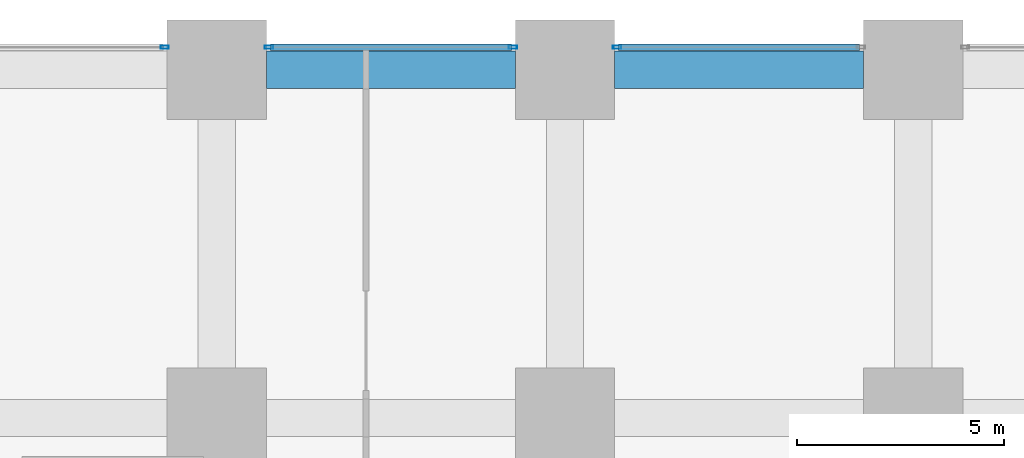
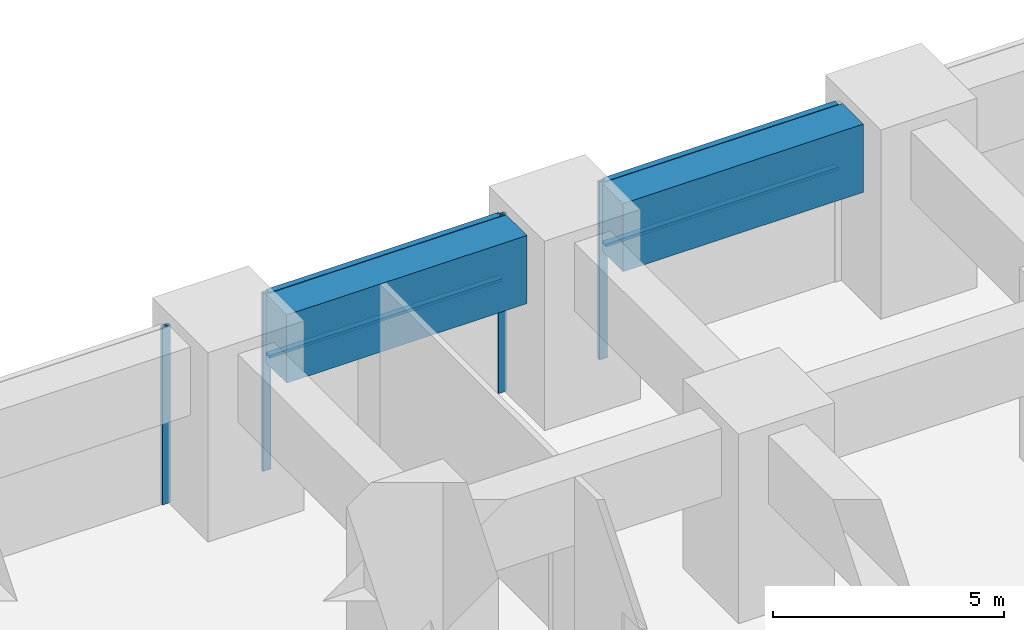
# One storey, part 29 of 49: 8 members, 2 beams, 3 elements without a shape of their own.
"""IFC4 building model written with IfcOpenShell, lengths in metres."""

from ifc_helpers import new_model, si_unit, direction, frame, origin, origin_2d, place, context, subcontext, project, spatial, rectangle, hollow_rectangle, extrude, material, material_profile, profile_set, type_object, element, aggregate, save


model = new_model("IFC4")

# Units and contexts
model_context = context("Model", 3, precision=1e-05, world=origin(), true_north=direction((0.0, 1.0)))
body_context = subcontext(model_context, "Body", "Model", "MODEL_VIEW")
ifc_project = project(units=[si_unit("LENGTHUNIT", "METRE"), si_unit("AREAUNIT", "SQUARE_METRE"), si_unit("VOLUMEUNIT", "CUBIC_METRE"), si_unit("PLANEANGLEUNIT", "RADIAN"), si_unit("MASSUNIT", "GRAM", prefix="KILO")], contexts=[model_context])

# Site, building, storey
site_placement = place(None, origin())
site = spatial("IfcSite", under=ifc_project, at=site_placement, CompositionType="ELEMENT")
building_placement = place(site_placement, origin())
building = spatial("IfcBuilding", under=site, at=building_placement, Name="Rekha Terrace Tower", CompositionType="ELEMENT")
storey_placement = place(building_placement, frame((0.0, 0.0, 5.39990234375)))
storey = spatial("IfcBuildingStorey", under=building, at=storey_placement, Name="L01", CompositionType="ELEMENT", Elevation=5.39990234375)

# Curtain wall, member
ifc_material_1 = material(Name="Aluminium framing", Category="aluminium")
curtain_wall_type = type_object("IfcCurtainWallType", Name="CW4 podium shopfront glazing", PredefinedType="USERDEFINED", material=ifc_material_1)
curtain_wall_1_placement = place(storey_placement, origin())
curtain_wall_1 = element("IfcCurtainWall", 1, at=curtain_wall_1_placement, inside=storey, type_object=curtain_wall_type, Name="CW4 shopfront curtain wall", ObjectType="SHOPFRONT CURTAIN WALL", PredefinedType="USERDEFINED")
ifc_material_2 = material(Name="Aluminium mullion section", Category="aluminium")
ifc_material_profile_1 = material_profile(ifc_material_2, hollow_rectangle(XDim=0.074951171875, YDim=0.199951171875, WallThickness=0.00390625, at=origin_2d()), Name="AL RHS 75x200")
ifc_profile_set_1 = profile_set([ifc_material_profile_1], Name="Aluminium mullion section")
member_type_1 = type_object("IfcMemberType", Name="CW4 mullion RHS 75 x 200", PredefinedType="MULLION", material=ifc_profile_set_1)
member_1_placement = place(storey_placement, frame((60.0576171875, 59.340087890625, 0.0), z_axis=(0.0, 0.0, 1.0), x_axis=(0.0, -1.0, 0.0)))
member_1 = element("IfcMember", 2, at=member_1_placement, type_object=member_type_1, Name="CW4 mullion 2", PredefinedType="MULLION", context=body_context, shape_type="SweptSolid", body=[
    extrude(hollow_rectangle(XDim=0.074951171875, YDim=0.199951171875, WallThickness=0.00390625, at=origin_2d()), origin(), (0.0, 0.0, 1.0), 4.7001953125),
])

# Curtain wall, members
curtain_wall_2_placement = place(storey_placement, origin())
curtain_wall_2 = element("IfcCurtainWall", 3, at=curtain_wall_2_placement, inside=storey, type_object=curtain_wall_type, Name="CW4 shopfront curtain wall", ObjectType="SHOPFRONT CURTAIN WALL", PredefinedType="USERDEFINED")
member_2_placement = place(storey_placement, frame((57.54248046875, 59.340087890625, 0.0), z_axis=(0.0, 0.0, 1.0), x_axis=(0.0, -1.0, 0.0)))
member_2 = element("IfcMember", 4, at=member_2_placement, type_object=member_type_1, Name="CW4 mullion 1", PredefinedType="MULLION", context=body_context, shape_type="SweptSolid", body=[
    extrude(hollow_rectangle(XDim=0.074951171875, YDim=0.199951171875, WallThickness=0.00390625, at=origin_2d()), origin(), (0.0, 0.0, 1.0), 4.7001953125),
])
member_3_placement = place(storey_placement, frame((51.657470703125, 59.340087890625, 0.0), z_axis=(0.0, 0.0, 1.0), x_axis=(0.0, -1.0, 0.0)))
member_3 = element("IfcMember", 5, at=member_3_placement, type_object=member_type_1, Name="CW4 mullion 2", PredefinedType="MULLION", context=body_context, shape_type="SweptSolid", body=[
    extrude(hollow_rectangle(XDim=0.074951171875, YDim=0.199951171875, WallThickness=0.00390625, at=origin_2d()), origin(), (0.0, 0.0, 1.0), 4.7001953125),
])

# Curtain wall, member
curtain_wall_3_placement = place(storey_placement, origin())
curtain_wall_3 = element("IfcCurtainWall", 6, at=curtain_wall_3_placement, inside=storey, type_object=curtain_wall_type, Name="CW4 shopfront curtain wall", ObjectType="SHOPFRONT CURTAIN WALL", PredefinedType="USERDEFINED")
member_4_placement = place(storey_placement, frame((49.142578125, 59.340087890625, 0.0), z_axis=(0.0, 0.0, 1.0), x_axis=(0.0, -1.0, 0.0)))
member_4 = element("IfcMember", 7, at=member_4_placement, type_object=member_type_1, Name="CW4 mullion 1", PredefinedType="MULLION", context=body_context, shape_type="SweptSolid", body=[
    extrude(hollow_rectangle(XDim=0.074951171875, YDim=0.199951171875, WallThickness=0.00390625, at=origin_2d()), origin(), (0.0, 0.0, 1.0), 4.7001953125),
])
aggregate(curtain_wall_3, [member_4])

# Member
ifc_material_3 = material(Name="Aluminium transom section", Category="aluminium")
ifc_material_profile_2 = material_profile(ifc_material_3, hollow_rectangle(XDim=0.14990234375, YDim=0.074951171875, WallThickness=0.0029296875, at=origin_2d()), Name="AL RHS 150x75")
ifc_profile_set_2 = profile_set([ifc_material_profile_2], Name="Aluminium transom section")
member_type_2 = type_object("IfcMemberType", Name="CW4 transom RHS 75 x 150", PredefinedType="USERDEFINED", material=ifc_profile_set_2)
member_5_placement = place(storey_placement, frame((65.905029296875, 59.340087890625, 3.0), z_axis=(-1.0, 0.0, 0.0), x_axis=(0.0, -1.0, 0.0)))
member_5 = element("IfcMember", 8, at=member_5_placement, type_object=member_type_2, Name="CW4 transom 1.2", ObjectType="TRANSOM", PredefinedType="USERDEFINED", context=body_context, shape_type="SweptSolid", body=[
    extrude(hollow_rectangle(XDim=0.14990234375, YDim=0.074951171875, WallThickness=0.0029296875, at=origin_2d()), origin(), (0.0, 0.0, 1.0), 5.81005859375),
])

member_6_placement = place(storey_placement, frame((65.905029296875, 59.340087890625, 4.66259765625), z_axis=(-1.0, 0.0, 0.0), x_axis=(0.0, -1.0, 0.0)))
member_6 = element("IfcMember", 9, at=member_6_placement, type_object=member_type_2, Name="CW4 transom 1.3", ObjectType="TRANSOM", PredefinedType="USERDEFINED", context=body_context, shape_type="SweptSolid", body=[
    extrude(hollow_rectangle(XDim=0.14990234375, YDim=0.074951171875, WallThickness=0.0029296875, at=origin_2d()), origin(), (0.0, 0.0, 1.0), 5.81005859375),
])

aggregate(curtain_wall_1, [member_1, member_5, member_6])

member_7_placement = place(storey_placement, frame((57.5048828125, 59.340087890625, 3.0), z_axis=(-1.0, 0.0, 0.0), x_axis=(0.0, -1.0, 0.0)))
member_7 = element("IfcMember", 10, at=member_7_placement, type_object=member_type_2, Name="CW4 transom 1.2", ObjectType="TRANSOM", PredefinedType="USERDEFINED", context=body_context, shape_type="SweptSolid", body=[
    extrude(hollow_rectangle(XDim=0.14990234375, YDim=0.074951171875, WallThickness=0.0029296875, at=origin_2d()), origin(), (0.0, 0.0, 1.0), 5.809814453125),
])

member_8_placement = place(storey_placement, frame((57.5048828125, 59.340087890625, 4.66259765625), z_axis=(-1.0, 0.0, 0.0), x_axis=(0.0, -1.0, 0.0)))
member_8 = element("IfcMember", 11, at=member_8_placement, type_object=member_type_2, Name="CW4 transom 1.3", ObjectType="TRANSOM", PredefinedType="USERDEFINED", context=body_context, shape_type="SweptSolid", body=[
    extrude(hollow_rectangle(XDim=0.14990234375, YDim=0.074951171875, WallThickness=0.0029296875, at=origin_2d()), origin(), (0.0, 0.0, 1.0), 5.809814453125),
])

aggregate(curtain_wall_2, [member_2, member_3, member_7, member_8])

# Beams
ifc_material_4 = material(Name="Concrete M60", Category="concrete")
ifc_material_profile_3 = material_profile(ifc_material_4, rectangle(XDim=0.89990234375, YDim=1.800048828125, at=origin_2d()), Name="RC 900x1800")
ifc_profile_set_3 = profile_set([ifc_material_profile_3], Name="Concrete M60")
beam_type = type_object("IfcBeamType", Name="G1 900x1800 podium floor beam", PredefinedType="BEAM", material=ifc_profile_set_3)
for number, where, z_axis, x_axis, name in (
    (12, (51.60009765625, 58.800048828125, 3.800048828125), (1.0, 0.0, 0.0), (0.0, 1.0, 0.0), "Beam G1 7H-8H under L02"),
    (13, (60.0, 58.800048828125, 3.800048828125), (1.0, 0.0, 0.0), (0.0, 1.0, 0.0), "Beam G1 8H-9H under L02"),
):
    element("IfcBeam", number, at=place(storey_placement, frame(where, z_axis=z_axis, x_axis=x_axis)), inside=storey, type_object=beam_type, Name=name, PredefinedType="BEAM", context=body_context, shape_type="SweptSolid", body=[
        extrude(rectangle(XDim=0.89990234375, YDim=1.800048828125, at=origin_2d()), origin(), (0.0, 0.0, 1.0), 6.0),
    ])

save(model, "model.ifc")
